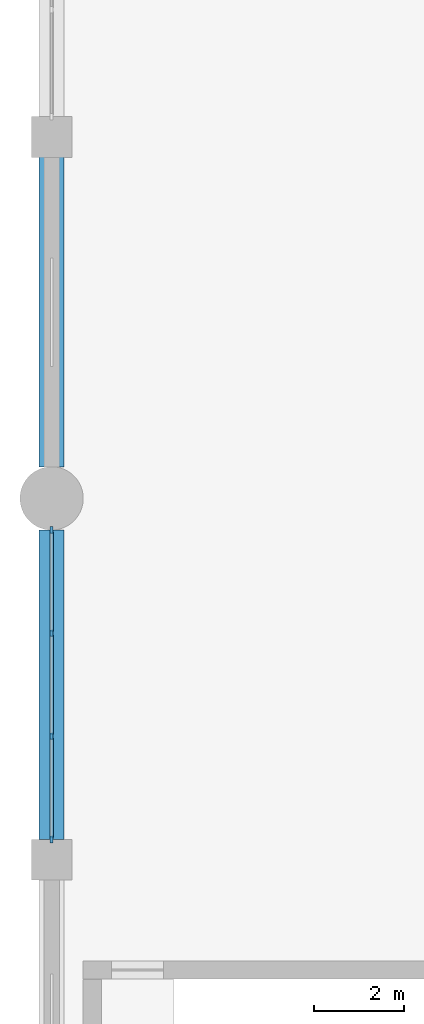
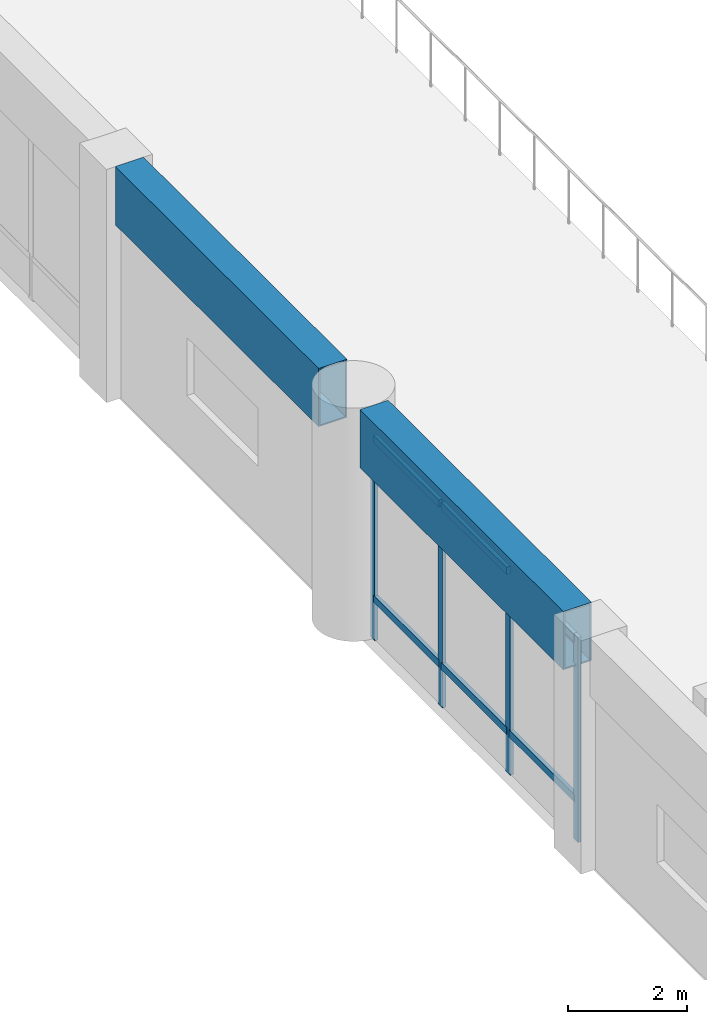
# One storey, part 11 of 76: 10 members, 2 beams, 1 element without a shape of its own.
"""IFC4 building model written with IfcOpenShell, lengths in metres."""

from ifc_helpers import new_model, si_unit, direction, frame, origin, origin_2d, place, context, subcontext, project, spatial, rectangle, hollow_rectangle, extrude, material, layer, layer_set, material_profile, profile_set, type_object, element, aggregate, save


model = new_model("IFC4")

# Units and contexts
model_context = context("Model", 3, precision=1e-05, world=origin(), true_north=direction((0.0, 1.0)))
body_context = subcontext(model_context, "Body", "Model", "MODEL_VIEW")
ifc_project = project(units=[si_unit("LENGTHUNIT", "METRE"), si_unit("AREAUNIT", "SQUARE_METRE"), si_unit("VOLUMEUNIT", "CUBIC_METRE"), si_unit("PLANEANGLEUNIT", "RADIAN"), si_unit("MASSUNIT", "GRAM", prefix="KILO")], contexts=[model_context])

# Site, building, storey
site_placement = place(None, origin())
site = spatial("IfcSite", under=ifc_project, at=site_placement, CompositionType="ELEMENT")
building_placement = place(site_placement, origin())
building = spatial("IfcBuilding", under=site, at=building_placement, Name="Naruveol Harbour Congress Hotel", CompositionType="ELEMENT")
storey_placement = place(building_placement, frame((0.0, 0.0, 11.39990234375)))
storey = spatial("IfcBuildingStorey", under=building, at=storey_placement, Name="L02", CompositionType="ELEMENT", Elevation=11.39990234375)

# Beams
ifc_material_1 = material(Name="Steel SN490", Category="steel")
ifc_material_profile_1 = material_profile(ifc_material_1, hollow_rectangle(XDim=0.550048828125, YDim=1.199951171875, WallThickness=0.028076171875, at=origin_2d()), Name="RHS-1200x550x28")
ifc_profile_set_1 = profile_set([ifc_material_profile_1], Name="Steel SN490")
beam_type = type_object("IfcBeamType", Name="STEEL RING BOX GIRDER 1200X550", PredefinedType="BEAM", material=ifc_profile_set_1)
for number, where, z_axis, x_axis, name in (
    (1, (0.0, 16.446044921875, 4.2001953125), (0.0, 1.0, 0.0), (-1.0, 0.0, 0.0), "Congress ring girder RG1"),
    (2, (0.0, 24.696044921875, 4.2001953125), (0.0, 1.0, 0.0), (-1.0, 0.0, 0.0), "Congress ring girder RG1"),
):
    element("IfcBeam", number, at=place(storey_placement, frame(where, z_axis=z_axis, x_axis=x_axis)), inside=storey, type_object=beam_type, Name=name, PredefinedType="BEAM", context=body_context, shape_type="SweptSolid", body=[
        extrude(hollow_rectangle(XDim=0.550048828125, YDim=1.199951171875, WallThickness=0.028076171875, at=origin_2d()), origin(), (0.0, 0.0, 1.0), 6.85791015625),
    ])

# Curtain wall, members
ifc_material_2 = material(Name="Low-E Curtain Wall System", Category="glass")
ifc_layer = layer(ifc_material_2, 0.179931640625)
ifc_layer_set = layer_set([ifc_layer], Name="Low-E Curtain Wall System")
curtain_wall_type = type_object("IfcCurtainWallType", Name="UNITISED CURTAIN WALL CW-V1W-04 6850X4220", PredefinedType="USERDEFINED", material=ifc_layer_set)
curtain_wall_placement = place(storey_placement, origin())
curtain_wall = element("IfcCurtainWall", 3, at=curtain_wall_placement, inside=storey, type_object=curtain_wall_type, Name="Unitised curtain wall CW-V1W-04 L02", ObjectType="UNITISED GLAZING", PredefinedType="USERDEFINED")
ifc_material_3 = material(Name="Anodised Aluminium 6063-T6", Category="aluminium")
ifc_material_profile_2 = material_profile(ifc_material_3, rectangle(XDim=0.06494140625, YDim=0.14990234375, at=origin_2d()), Name="ALU-65x150")
ifc_profile_set_2 = profile_set([ifc_material_profile_2], Name="Anodised Aluminium 6063-T6")
member_type_1 = type_object("IfcMemberType", Name="THERMAL ALUMINIUM MULLION 65X150", PredefinedType="MULLION", material=ifc_profile_set_2)
member_1_placement = place(storey_placement, frame((0.0, 16.449951171875, 0.0), z_axis=(0.0, 0.0, 1.0), x_axis=(1.0, 0.0, 0.0)))
member_1 = element("IfcMember", 4, at=member_1_placement, type_object=member_type_1, Name="Curtain wall mullion CW-L02-0004-M0", PredefinedType="MULLION", context=body_context, shape_type="SweptSolid", body=[
    extrude(rectangle(XDim=0.06494140625, YDim=0.14990234375, at=origin_2d()), origin(), (0.0, 0.0, 1.0), 4.22021484375),
])
member_2_placement = place(storey_placement, frame((0.0, 18.7333984375, 0.0), z_axis=(0.0, 0.0, 1.0), x_axis=(1.0, 0.0, 0.0)))
member_2 = element("IfcMember", 5, at=member_2_placement, type_object=member_type_1, Name="Curtain wall mullion CW-L02-0004-M1", PredefinedType="MULLION", context=body_context, shape_type="SweptSolid", body=[
    extrude(rectangle(XDim=0.06494140625, YDim=0.14990234375, at=origin_2d()), origin(), (0.0, 0.0, 1.0), 4.22021484375),
])
member_3_placement = place(storey_placement, frame((0.0, 21.0166015625, 0.0), z_axis=(0.0, 0.0, 1.0), x_axis=(1.0, 0.0, 0.0)))
member_3 = element("IfcMember", 6, at=member_3_placement, type_object=member_type_1, Name="Curtain wall mullion CW-L02-0004-M2", PredefinedType="MULLION", context=body_context, shape_type="SweptSolid", body=[
    extrude(rectangle(XDim=0.06494140625, YDim=0.14990234375, at=origin_2d()), origin(), (0.0, 0.0, 1.0), 4.22021484375),
])
member_4_placement = place(storey_placement, frame((0.0, 23.300048828125, 0.0), z_axis=(0.0, 0.0, 1.0), x_axis=(1.0, 0.0, 0.0)))
member_4 = element("IfcMember", 7, at=member_4_placement, type_object=member_type_1, Name="Curtain wall mullion CW-L02-0004-M3", PredefinedType="MULLION", context=body_context, shape_type="SweptSolid", body=[
    extrude(rectangle(XDim=0.06494140625, YDim=0.14990234375, at=origin_2d()), origin(), (0.0, 0.0, 1.0), 4.22021484375),
])
ifc_material_4 = material(Name="Anodised Aluminium 6063-T6", Category="aluminium")
ifc_material_profile_3 = material_profile(ifc_material_4, rectangle(XDim=0.074951171875, YDim=0.14990234375, at=origin_2d()), Name="ALU-75x150")
ifc_profile_set_3 = profile_set([ifc_material_profile_3], Name="Anodised Aluminium 6063-T6")
member_type_2 = type_object("IfcMemberType", Name="THERMAL ALUMINIUM TRANSOM 75X150", PredefinedType="USERDEFINED", material=ifc_profile_set_3)
member_5_placement = place(storey_placement, frame((0.0, 16.489990234375, 0.85009765625), z_axis=(0.0, 1.0, 0.0), x_axis=(-1.0, 0.0, 0.0)))
member_5 = element("IfcMember", 8, at=member_5_placement, type_object=member_type_2, Name="Curtain wall transom CW-L02-0004-T0.1", ObjectType="TRANSOM", PredefinedType="USERDEFINED", context=body_context, shape_type="SweptSolid", body=[
    extrude(rectangle(XDim=0.074951171875, YDim=0.14990234375, at=origin_2d()), origin(), (0.0, 0.0, 1.0), 2.203369140625),
])
member_6_placement = place(storey_placement, frame((0.0, 16.489990234375, 4.14013671875), z_axis=(0.0, 1.0, 0.0), x_axis=(-1.0, 0.0, 0.0)))
member_6 = element("IfcMember", 9, at=member_6_placement, type_object=member_type_2, Name="Curtain wall transom CW-L02-0004-T0.2", ObjectType="TRANSOM", PredefinedType="USERDEFINED", context=body_context, shape_type="SweptSolid", body=[
    extrude(rectangle(XDim=0.074951171875, YDim=0.14990234375, at=origin_2d()), origin(), (0.0, 0.0, 1.0), 2.203369140625),
])
member_7_placement = place(storey_placement, frame((0.0, 18.773193359375, 0.85009765625), z_axis=(0.0, 1.0, 0.0), x_axis=(-1.0, 0.0, 0.0)))
member_7 = element("IfcMember", 10, at=member_7_placement, type_object=member_type_2, Name="Curtain wall transom CW-L02-0004-T1.1", ObjectType="TRANSOM", PredefinedType="USERDEFINED", context=body_context, shape_type="SweptSolid", body=[
    extrude(rectangle(XDim=0.074951171875, YDim=0.14990234375, at=origin_2d()), origin(), (0.0, 0.0, 1.0), 2.20361328125),
])
member_8_placement = place(storey_placement, frame((0.0, 18.773193359375, 4.14013671875), z_axis=(0.0, 1.0, 0.0), x_axis=(-1.0, 0.0, 0.0)))
member_8 = element("IfcMember", 11, at=member_8_placement, type_object=member_type_2, Name="Curtain wall transom CW-L02-0004-T1.2", ObjectType="TRANSOM", PredefinedType="USERDEFINED", context=body_context, shape_type="SweptSolid", body=[
    extrude(rectangle(XDim=0.074951171875, YDim=0.14990234375, at=origin_2d()), origin(), (0.0, 0.0, 1.0), 2.20361328125),
])
member_9_placement = place(storey_placement, frame((0.0, 21.056640625, 0.85009765625), z_axis=(0.0, 1.0, 0.0), x_axis=(-1.0, 0.0, 0.0)))
member_9 = element("IfcMember", 12, at=member_9_placement, type_object=member_type_2, Name="Curtain wall transom CW-L02-0004-T2.1", ObjectType="TRANSOM", PredefinedType="USERDEFINED", context=body_context, shape_type="SweptSolid", body=[
    extrude(rectangle(XDim=0.074951171875, YDim=0.14990234375, at=origin_2d()), origin(), (0.0, 0.0, 1.0), 2.203369140625),
])
member_10_placement = place(storey_placement, frame((0.0, 21.056640625, 4.14013671875), z_axis=(0.0, 1.0, 0.0), x_axis=(-1.0, 0.0, 0.0)))
member_10 = element("IfcMember", 13, at=member_10_placement, type_object=member_type_2, Name="Curtain wall transom CW-L02-0004-T2.2", ObjectType="TRANSOM", PredefinedType="USERDEFINED", context=body_context, shape_type="SweptSolid", body=[
    extrude(rectangle(XDim=0.074951171875, YDim=0.14990234375, at=origin_2d()), origin(), (0.0, 0.0, 1.0), 2.203369140625),
])
aggregate(curtain_wall, [member_1, member_2, member_3, member_4, member_5, member_6, member_7, member_8, member_9, member_10])

save(model, "model.ifc")
